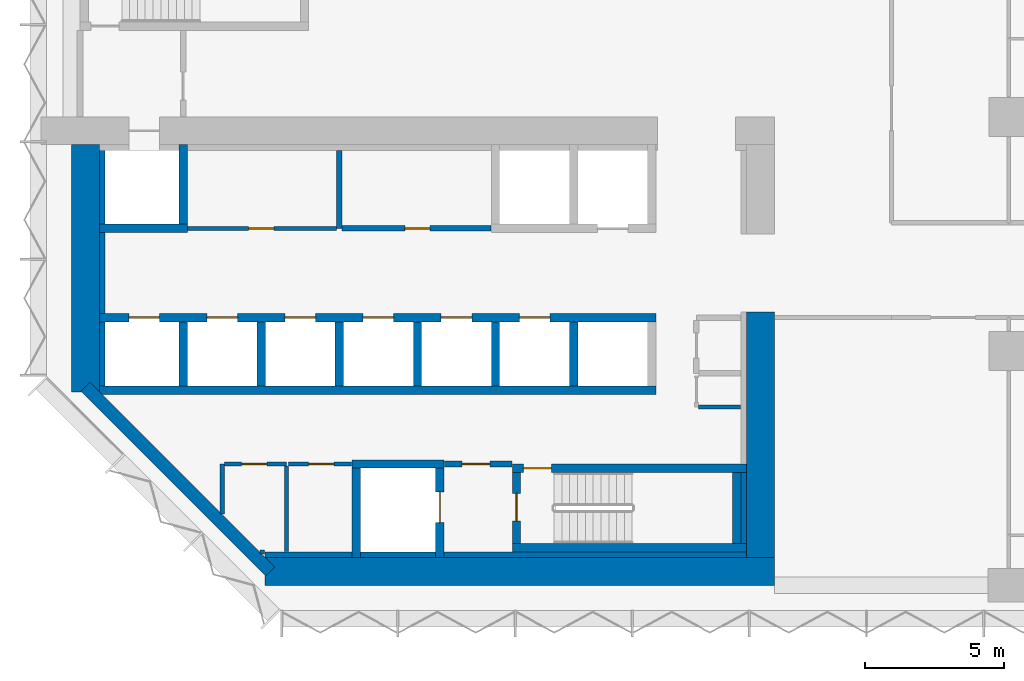
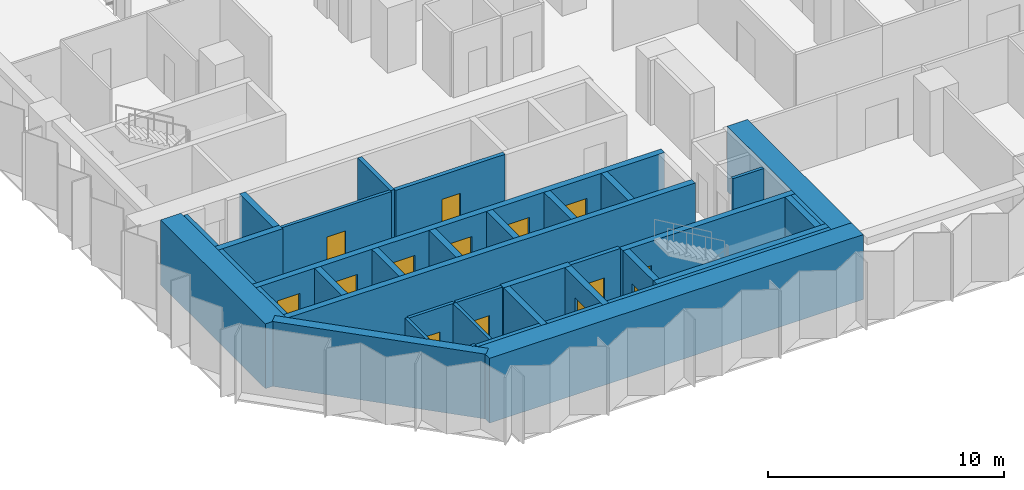
# One storey, part 9 of 18: 38 walls, 14 doors, 14 openings.
"""IFC4 building model written with IfcOpenShell, lengths in metres."""

from ifc_helpers import new_model, si_unit, direction, frame, frame_2d, origin, place, context, subcontext, project, spatial, rectangle, extrude, material, layer, layer_set, type_object, element, fill, save


model = new_model("IFC4")

# Units and contexts
model_context = context("Model", 3, precision=1e-05, world=origin(), true_north=direction((0.0, 1.0)))
body_context = subcontext(model_context, "Body", "Model", "MODEL_VIEW")
ifc_project = project(units=[si_unit("LENGTHUNIT", "METRE"), si_unit("AREAUNIT", "SQUARE_METRE"), si_unit("VOLUMEUNIT", "CUBIC_METRE"), si_unit("PLANEANGLEUNIT", "RADIAN"), si_unit("MASSUNIT", "GRAM", prefix="KILO")], contexts=[model_context])

# Site, building, storey
site_placement = place(None, origin())
site = spatial("IfcSite", under=ifc_project, at=site_placement, CompositionType="ELEMENT")
building_placement = place(site_placement, origin())
building = spatial("IfcBuilding", under=site, at=building_placement, Name="Brevane Broadcast Tower", CompositionType="ELEMENT")
storey_placement = place(building_placement, frame((0.0, 0.0, 40.10009765625)))
storey = spatial("IfcBuildingStorey", under=building, at=storey_placement, Name="L07", CompositionType="ELEMENT", Elevation=40.10009765625)

# Walls
ifc_material_1 = material(Name="Concrete C32/40", Category="concrete")
ifc_layer_1 = layer(ifc_material_1, 0.199951171875)
ifc_layer_set_1 = layer_set([ifc_layer_1], Name="Core chase wall 200 mm")
wall_type_1 = type_object("IfcWallType", Name="Core chase wall 200 mm", PredefinedType="PARTITIONING", material=ifc_layer_set_1)
wall_1_placement = place(storey_placement, frame((1.10009765625, 7.14990234375, 0.0), z_axis=(0.0, 0.0, 1.0), x_axis=(0.0, 1.0, 0.0)))
element("IfcWall", 1, at=wall_1_placement, inside=storey, type_object=wall_type_1, Name="L07 chase wall LW-2-1", PredefinedType="PARTITIONING", context=body_context, shape_type="SweptSolid", body=[
    extrude(rectangle(XDim=2.300048828125, YDim=0.199951171875, at=frame_2d((1.14990234375, 0.0))), origin(), (0.0, 0.0, 1.0), 3.349853515625),
])
wall_2_placement = place(storey_placement, frame((1.10009765625, 9.75, 0.0), z_axis=(0.0, 0.0, 1.0), x_axis=(0.0, 1.0, 0.0)))
element("IfcWall", 2, at=wall_2_placement, inside=storey, type_object=wall_type_1, Name="L07 chase wall LW-2-2-1", PredefinedType="PARTITIONING", context=body_context, shape_type="SweptSolid", body=[
    extrude(rectangle(XDim=2.89990234375, YDim=0.199951171875, at=frame_2d((1.449951171875, 0.0))), origin(), (0.0, 0.0, 1.0), 3.349853515625),
])
wall_3_placement = place(storey_placement, frame((1.10009765625, 12.949951171875, 0.0), z_axis=(0.0, 0.0, 1.0), x_axis=(0.0, 1.0, 0.0)))
element("IfcWall", 3, at=wall_3_placement, inside=storey, type_object=wall_type_1, Name="L07 chase wall LW-2-2-2", PredefinedType="PARTITIONING", context=body_context, shape_type="SweptSolid", body=[
    extrude(rectangle(XDim=2.650146484375, YDim=0.199951171875, at=frame_2d((1.3251953125, 0.0))), origin(), (0.0, 0.0, 1.0), 3.349853515625),
])
wall_4_placement = place(storey_placement, frame((6.936279296875, 1.10009765625, 0.0), z_axis=(0.0, 0.0, 1.0), x_axis=(1.0, 0.0, 0.0)))
element("IfcWall", 4, at=wall_4_placement, inside=storey, type_object=wall_type_1, Name="L07 chase wall LS-1", PredefinedType="PARTITIONING", context=body_context, shape_type="SweptSolid", body=[
    extrude(rectangle(XDim=3.11376953125, YDim=0.199951171875, at=frame_2d((1.556884765625, 0.0))), origin(), (0.0, 0.0, 1.0), 3.349853515625),
])
wall_5_placement = place(storey_placement, frame((10.35009765625, 1.10009765625, 0.0), z_axis=(0.0, 0.0, 1.0), x_axis=(1.0, 0.0, 0.0)))
element("IfcWall", 5, at=wall_5_placement, inside=storey, type_object=wall_type_1, Name="L07 chase wall LS-2-1", PredefinedType="PARTITIONING", context=body_context, shape_type="SweptSolid", body=[
    extrude(rectangle(XDim=2.699951171875, YDim=0.199951171875, at=frame_2d((1.35009765625, 0.0))), origin(), (0.0, 0.0, 1.0), 3.349853515625),
])
wall_6_placement = place(storey_placement, frame((13.35009765625, 1.10009765625, 0.0), z_axis=(0.0, 0.0, 1.0), x_axis=(1.0, 0.0, 0.0)))
element("IfcWall", 6, at=wall_6_placement, inside=storey, type_object=wall_type_1, Name="L07 chase wall LS-2-2", PredefinedType="PARTITIONING", context=body_context, shape_type="SweptSolid", body=[
    extrude(rectangle(XDim=10.849853515625, YDim=0.199951171875, at=frame_2d((5.4248046875, 0.0))), origin(), (0.0, 0.0, 1.0), 3.349853515625),
])
wall_7_placement = place(storey_placement, frame((24.10009765625, 1.5, 0.0), z_axis=(0.0, 0.0, 1.0), x_axis=(0.0, 1.0, 0.0)))
element("IfcWall", 7, at=wall_7_placement, inside=storey, type_object=wall_type_1, Name="L07 chase wall LE1-2-1", PredefinedType="PARTITIONING", context=body_context, shape_type="SweptSolid", body=[
    extrude(rectangle(XDim=2.550048828125, YDim=0.199951171875, at=frame_2d((1.27490234375, 0.0))), origin(), (0.0, 0.0, 1.0), 3.349853515625),
])

# Wall, opening, door
ifc_material_2 = material(Name="Gypsum board on steel studs", Category="steel")
ifc_layer_2 = layer(ifc_material_2, 0.14990234375)
ifc_layer_set_2 = layer_set([ifc_layer_2], Name="Core fire partition 150 mm")
wall_type_2 = type_object("IfcWallType", Name="Core fire partition 150 mm", PredefinedType="PARTITIONING", material=ifc_layer_set_2)
wall_8_placement = place(storey_placement, frame((4.162109375, 12.800048828125, 0.0), z_axis=(0.0, 0.0, 1.0), x_axis=(1.0, 0.0, 0.0)))
wall_8 = element("IfcWall", 8, at=wall_8_placement, inside=storey, type_object=wall_type_2, Name="L07 partition wall P09", PredefinedType="PARTITIONING", context=body_context, shape_type="SweptSolid", body=[
    extrude(rectangle(XDim=5.337890625, YDim=0.14990234375, at=frame_2d((2.6689453125, 0.0))), origin(), (0.0, 0.0, 1.0), 3.349853515625),
])
opening_1_placement = place(wall_8_placement, frame((2.18798828125, 0.0, 0.0)))
opening_1 = element("IfcOpeningElement", 9, at=opening_1_placement, cuts=wall_8, Name="Opening L07-K21", PredefinedType="OPENING", context=body_context, shape_type="SweptSolid", body=[
    extrude(rectangle(XDim=0.89990234375, YDim=2.10009765625, at=frame_2d((0.449951171875, 1.050048828125))), frame((0.0, 0.0849609375, 0.0), z_axis=(0.0, -1.0, 0.0), x_axis=(1.0, 0.0, 0.0)), (0.0, 0.0, 1.0), 0.169921875),
])
ifc_material_3 = material(Name="Steel", Category="steel")
door_type_1 = type_object("IfcDoorType", Name="Service room door 900 x 2100", OperationType="SINGLE_SWING_LEFT", PredefinedType="DOOR", material=ifc_material_3)
door_1_placement = place(opening_1_placement, origin())
door_1 = element("IfcDoor", 10, at=door_1_placement, inside=storey, type_object=door_type_1, Name="Door L07-K21", OperationType="SINGLE_SWING_LEFT", OverallHeight=2.10009765625, OverallWidth=0.89990234375, PredefinedType="DOOR", context=body_context, shape_type="SweptSolid", body=[
    extrude(rectangle(XDim=0.89990234375, YDim=2.10009765625, at=frame_2d((0.449951171875, 1.050048828125))), frame((0.0, 0.02490234375, 0.0), z_axis=(0.0, -1.0, 0.0), x_axis=(1.0, 0.0, 0.0)), (0.0, 0.0, 1.0), 0.050048828125),
])
fill(opening_1, door_1)

# Wall
wall_9_placement = place(storey_placement, frame((5.39990234375, 2.553466796875, 0.0), z_axis=(0.0, 0.0, 1.0), x_axis=(0.0, 1.0, 0.0)))
element("IfcWall", 11, at=wall_9_placement, inside=storey, type_object=wall_type_2, Name="L07 partition wall P10", PredefinedType="PARTITIONING", context=body_context, shape_type="SweptSolid", body=[
    extrude(rectangle(XDim=1.796630859375, YDim=0.14990234375, at=frame_2d((0.8984375, 0.0))), origin(), (0.0, 0.0, 1.0), 3.349853515625),
])

# Wall, opening, door
wall_10_placement = place(storey_placement, frame((5.47509765625, 4.35009765625, 0.0), z_axis=(0.0, 0.0, 1.0), x_axis=(1.0, 0.0, 0.0)))
wall_10 = element("IfcWall", 12, at=wall_10_placement, inside=storey, type_object=wall_type_2, Name="L07 partition wall P11", PredefinedType="PARTITIONING", context=body_context, shape_type="SweptSolid", body=[
    extrude(rectangle(XDim=2.224853515625, YDim=0.14990234375, at=frame_2d((1.1123046875, 0.0))), origin(), (0.0, 0.0, 1.0), 3.349853515625),
])
opening_2_placement = place(wall_10_placement, frame((0.625, 0.0, 0.0)))
opening_2 = element("IfcOpeningElement", 13, at=opening_2_placement, cuts=wall_10, Name="Opening L07-K16", PredefinedType="OPENING", context=body_context, shape_type="SweptSolid", body=[
    extrude(rectangle(XDim=0.89990234375, YDim=2.10009765625, at=frame_2d((0.449951171875, 1.050048828125))), frame((0.0, 0.0849609375, 0.0), z_axis=(0.0, -1.0, 0.0), x_axis=(1.0, 0.0, 0.0)), (0.0, 0.0, 1.0), 0.169921875),
])
ifc_material_4 = material(Name="Timber", Category="wood")
door_type_2 = type_object("IfcDoorType", Name="Toilet door 900 x 2100", OperationType="SINGLE_SWING_LEFT", PredefinedType="DOOR", material=ifc_material_4)
door_2_placement = place(opening_2_placement, origin())
door_2 = element("IfcDoor", 14, at=door_2_placement, inside=storey, type_object=door_type_2, Name="Door L07-K16", OperationType="SINGLE_SWING_RIGHT", OverallHeight=2.10009765625, OverallWidth=0.89990234375, PredefinedType="DOOR", context=body_context, shape_type="SweptSolid", body=[
    extrude(rectangle(XDim=0.89990234375, YDim=2.10009765625, at=frame_2d((0.449951171875, 1.050048828125))), frame((0.0, 0.02490234375, 0.0), z_axis=(0.0, -1.0, 0.0), x_axis=(1.0, 0.0, 0.0)), (0.0, 0.0, 1.0), 0.050048828125),
])
fill(opening_2, door_2)

# Walls
wall_11_placement = place(storey_placement, frame((7.699951171875, 4.27490234375, 0.0), z_axis=(0.0, 0.0, 1.0), x_axis=(0.0, -1.0, 0.0)))
element("IfcWall", 15, at=wall_11_placement, inside=storey, type_object=wall_type_2, Name="L07 partition wall P12", PredefinedType="PARTITIONING", context=body_context, shape_type="SweptSolid", body=[
    extrude(rectangle(XDim=3.06298828125, YDim=0.14990234375, at=frame_2d((1.531494140625, 0.0))), origin(), (0.0, 0.0, 1.0), 3.349853515625),
])
wall_12_placement = place(storey_placement, frame((6.92431640625, 1.199951171875, 0.0), z_axis=(0.0, 0.0, 1.0), x_axis=(-1.0, 0.0, 0.0)))
element("IfcWall", 16, at=wall_12_placement, inside=storey, type_object=wall_type_2, Name="L07 partition wall P13", PredefinedType="PARTITIONING", context=body_context, shape_type="SweptSolid", body=[
    extrude(rectangle(XDim=0.1708984375, YDim=0.14990234375, at=frame_2d((0.08544921875, 0.0))), origin(), (0.0, 0.0, 1.0), 3.349853515625),
])

# Wall, opening, door
wall_13_placement = place(storey_placement, frame((10.0380859375, 4.35009765625, 0.0), z_axis=(0.0, 0.0, 1.0), x_axis=(-1.0, 0.0, 0.0)))
wall_13 = element("IfcWall", 17, at=wall_13_placement, inside=storey, type_object=wall_type_2, Name="L07 partition wall P14", PredefinedType="PARTITIONING", context=body_context, shape_type="SweptSolid", body=[
    extrude(rectangle(XDim=2.26318359375, YDim=0.14990234375, at=frame_2d((1.131591796875, 0.0))), origin(), (0.0, 0.0, 1.0), 3.349853515625),
])
opening_3_placement = place(wall_13_placement, frame((0.637939453125, 0.0, 0.0)))
opening_3 = element("IfcOpeningElement", 18, at=opening_3_placement, cuts=wall_13, Name="Opening L07-K17", PredefinedType="OPENING", context=body_context, shape_type="SweptSolid", body=[
    extrude(rectangle(XDim=0.89990234375, YDim=2.10009765625, at=frame_2d((0.449951171875, 1.050048828125))), frame((0.0, 0.0849609375, 0.0), z_axis=(0.0, -1.0, 0.0), x_axis=(1.0, 0.0, 0.0)), (0.0, 0.0, 1.0), 0.169921875),
])
door_3_placement = place(opening_3_placement, origin())
door_3 = element("IfcDoor", 19, at=door_3_placement, inside=storey, type_object=door_type_2, Name="Door L07-K17", OperationType="SINGLE_SWING_LEFT", OverallHeight=2.10009765625, OverallWidth=0.89990234375, PredefinedType="DOOR", context=body_context, shape_type="SweptSolid", body=[
    extrude(rectangle(XDim=0.89990234375, YDim=2.10009765625, at=frame_2d((0.449951171875, 1.050048828125))), frame((0.0, 0.02490234375, 0.0), z_axis=(0.0, -1.0, 0.0), x_axis=(1.0, 0.0, 0.0)), (0.0, 0.0, 1.0), 0.050048828125),
])
fill(opening_3, door_3)

# Wall
wall_14_placement = place(storey_placement, frame((22.47509765625, 6.39990234375, 0.0), z_axis=(0.0, 0.0, 1.0), x_axis=(1.0, 0.0, 0.0)))
element("IfcWall", 20, at=wall_14_placement, inside=storey, type_object=wall_type_2, Name="L07 partition wall P23", PredefinedType="PARTITIONING", context=body_context, shape_type="SweptSolid", body=[
    extrude(rectangle(XDim=1.512939453125, YDim=0.14990234375, at=frame_2d((0.75634765625, 0.0))), origin(), (0.0, 0.0, 1.0), 3.349853515625),
])

# Wall, opening, door
ifc_layer_3 = layer(ifc_material_2, 0.199951171875)
ifc_layer_set_3 = layer_set([ifc_layer_3], Name="Core fire partition 200 mm")
wall_type_3 = type_object("IfcWallType", Name="Core fire partition 200 mm", PredefinedType="PARTITIONING", material=ifc_layer_set_3)
wall_15_placement = place(storey_placement, frame((13.362060546875, 4.35009765625, 0.0), z_axis=(0.0, 0.0, 1.0), x_axis=(1.0, 0.0, 0.0)))
wall_15 = element("IfcWall", 21, at=wall_15_placement, inside=storey, type_object=wall_type_3, Name="L07 partition wall P03", PredefinedType="PARTITIONING", context=body_context, shape_type="SweptSolid", body=[
    extrude(rectangle(XDim=2.426025390625, YDim=0.199951171875, at=frame_2d((1.212890625, 0.0))), origin(), (0.0, 0.0, 1.0), 3.349853515625),
])
opening_4_placement = place(wall_15_placement, frame((0.637939453125, 0.0, 0.0)))
opening_4 = element("IfcOpeningElement", 22, at=opening_4_placement, cuts=wall_15, Name="Opening L07-K18", PredefinedType="OPENING", context=body_context, shape_type="SweptSolid", body=[
    extrude(rectangle(XDim=1.0, YDim=2.10009765625, at=frame_2d((0.5, 1.050048828125))), frame((0.0, 0.10986328125, 0.0), z_axis=(0.0, -1.0, 0.0), x_axis=(1.0, 0.0, 0.0)), (0.0, 0.0, 1.0), 0.219970703125),
])
door_type_3 = type_object("IfcDoorType", Name="Stair door 1000 x 2100", OperationType="SINGLE_SWING_LEFT", PredefinedType="DOOR", material=ifc_material_3)
door_4_placement = place(opening_4_placement, origin())
door_4 = element("IfcDoor", 23, at=door_4_placement, inside=storey, type_object=door_type_3, Name="Door L07-K18", OperationType="SINGLE_SWING_RIGHT", OverallHeight=2.10009765625, OverallWidth=1.0, PredefinedType="DOOR", context=body_context, shape_type="SweptSolid", body=[
    extrude(rectangle(XDim=1.0, YDim=2.10009765625, at=frame_2d((0.5, 1.050048828125))), frame((0.0, 0.02490234375, 0.0), z_axis=(0.0, -1.0, 0.0), x_axis=(1.0, 0.0, 0.0)), (0.0, 0.0, 1.0), 0.050048828125),
])
fill(opening_4, door_4)

# Wall
wall_16_placement = place(storey_placement, frame((9.60009765625, 15.587890625, 0.0), z_axis=(0.0, 0.0, 1.0), x_axis=(0.0, -1.0, 0.0)))
element("IfcWall", 24, at=wall_16_placement, inside=storey, type_object=wall_type_3, Name="L07 partition wall P04", PredefinedType="PARTITIONING", context=body_context, shape_type="SweptSolid", body=[
    extrude(rectangle(XDim=2.787841796875, YDim=0.199951171875, at=frame_2d((1.39404296875, 0.0))), origin(), (0.0, 0.0, 1.0), 3.349853515625),
])

# Wall, opening, door
wall_17_placement = place(storey_placement, frame((9.699951171875, 12.800048828125, 0.0), z_axis=(0.0, 0.0, 1.0), x_axis=(1.0, 0.0, 0.0)))
wall_17 = element("IfcWall", 25, at=wall_17_placement, inside=storey, type_object=wall_type_3, Name="L07 partition wall P05", PredefinedType="PARTITIONING", context=body_context, shape_type="SweptSolid", body=[
    extrude(rectangle(XDim=5.338134765625, YDim=0.199951171875, at=frame_2d((2.6689453125, 0.0))), origin(), (0.0, 0.0, 1.0), 3.349853515625),
])
opening_5_placement = place(wall_17_placement, frame((2.25, 0.0, 0.0)))
opening_5 = element("IfcOpeningElement", 26, at=opening_5_placement, cuts=wall_17, Name="Opening L07-K22", PredefinedType="OPENING", context=body_context, shape_type="SweptSolid", body=[
    extrude(rectangle(XDim=0.89990234375, YDim=2.10009765625, at=frame_2d((0.449951171875, 1.050048828125))), frame((0.0, 0.10986328125, 0.0), z_axis=(0.0, -1.0, 0.0), x_axis=(1.0, 0.0, 0.0)), (0.0, 0.0, 1.0), 0.219970703125),
])
door_5_placement = place(opening_5_placement, origin())
door_5 = element("IfcDoor", 27, at=door_5_placement, inside=storey, type_object=door_type_1, Name="Door L07-K22", OperationType="SINGLE_SWING_RIGHT", OverallHeight=2.10009765625, OverallWidth=0.89990234375, PredefinedType="DOOR", context=body_context, shape_type="SweptSolid", body=[
    extrude(rectangle(XDim=0.89990234375, YDim=2.10009765625, at=frame_2d((0.449951171875, 1.050048828125))), frame((0.0, 0.02490234375, 0.0), z_axis=(0.0, -1.0, 0.0), x_axis=(1.0, 0.0, 0.0)), (0.0, 0.0, 1.0), 0.050048828125),
])
fill(opening_5, door_5)

# Walls
ifc_material_5 = material(Name="Concrete C80/95", Category="concrete")
ifc_layer_4 = layer(ifc_material_5, 1.0)
ifc_layer_set_4 = layer_set([ifc_layer_4], Name="Core wall 1000 mm C80/95")
wall_type_4 = type_object("IfcWallType", Name="Core wall 1000 mm C80/95", PredefinedType="SHEAR", material=ifc_layer_set_4)
wall_18_placement = place(storey_placement, frame((6.936279296875, 0.5, 0.0), z_axis=(0.0, 0.0, 1.0), x_axis=(1.0, 0.0, 0.0)))
element("IfcWall", 28, at=wall_18_placement, inside=storey, type_object=wall_type_4, Name="L07 outer wall WS", PredefinedType="SHEAR", context=body_context, shape_type="SweptSolid", body=[
    extrude(rectangle(XDim=18.263671875, YDim=1.0, at=frame_2d((9.1318359375, 0.0))), origin(), (0.0, 0.0, 1.0), 3.349853515625),
])
wall_19_placement = place(storey_placement, frame((0.5, 6.936279296875, 0.0), z_axis=(0.0, 0.0, 1.0), x_axis=(0.0, 1.0, 0.0)))
element("IfcWall", 29, at=wall_19_placement, inside=storey, type_object=wall_type_4, Name="L07 outer wall WW", PredefinedType="SHEAR", context=body_context, shape_type="SweptSolid", body=[
    extrude(rectangle(XDim=8.86376953125, YDim=1.0, at=frame_2d((4.431884765625, 0.0))), origin(), (0.0, 0.0, 1.0), 3.349853515625),
])
wall_20_placement = place(storey_placement, frame((24.699951171875, 1.0, 0.0), z_axis=(0.0, 0.0, 1.0), x_axis=(0.0, 1.0, 0.0)))
element("IfcWall", 30, at=wall_20_placement, inside=storey, type_object=wall_type_4, Name="L07 outer wall WE1", PredefinedType="SHEAR", context=body_context, shape_type="SweptSolid", body=[
    extrude(rectangle(XDim=8.800048828125, YDim=1.0, at=frame_2d((4.39990234375, 0.0))), origin(), (0.0, 0.0, 1.0), 3.349853515625),
])
ifc_layer_5 = layer(ifc_material_5, 0.300048828125)
ifc_layer_set_5 = layer_set([ifc_layer_5], Name="Core wall 300 mm C80/95")
wall_type_5 = type_object("IfcWallType", Name="Core wall 300 mm C80/95", PredefinedType="SHEAR", material=ifc_layer_set_5)
wall_21_placement = place(storey_placement, frame((1.0, 7.0, 0.0), z_axis=(0.0, 0.0, 1.0), x_axis=(1.0, 0.0, 0.0)))
element("IfcWall", 31, at=wall_21_placement, inside=storey, type_object=wall_type_5, Name="L07 shaft wall SH-S012-back", PredefinedType="SHEAR", context=body_context, shape_type="SweptSolid", body=[
    extrude(rectangle(XDim=19.949951171875, YDim=0.300048828125, at=frame_2d((9.97509765625, 0.0))), origin(), (0.0, 0.0, 1.0), 3.349853515625),
])

# Wall, openings, doors
wall_22_placement = place(storey_placement, frame((1.0, 9.60009765625, 0.0), z_axis=(0.0, 0.0, 1.0), x_axis=(1.0, 0.0, 0.0)))
wall_22 = element("IfcWall", 32, at=wall_22_placement, inside=storey, type_object=wall_type_5, Name="L07 shaft wall SH-S012-front", PredefinedType="SHEAR", context=body_context, shape_type="SweptSolid", body=[
    extrude(rectangle(XDim=19.949951171875, YDim=0.300048828125, at=frame_2d((9.97509765625, 0.0))), origin(), (0.0, 0.0, 1.0), 3.349853515625),
])
opening_6_placement = place(wall_22_placement, frame((1.050048828125, 0.0, 0.0)))
opening_6 = element("IfcOpeningElement", 33, at=opening_6_placement, cuts=wall_22, Name="Opening LD", PredefinedType="OPENING", context=body_context, shape_type="SweptSolid", body=[
    extrude(rectangle(XDim=1.10009765625, YDim=2.300048828125, at=frame_2d((0.550048828125, 1.14990234375))), frame((0.0, 0.159912109375, 0.0), z_axis=(0.0, -1.0, 0.0), x_axis=(1.0, 0.0, 0.0)), (0.0, 0.0, 1.0), 0.320068359375),
])
opening_7_placement = place(wall_22_placement, frame((3.85009765625, 0.0, 0.0)))
opening_7 = element("IfcOpeningElement", 34, at=opening_7_placement, cuts=wall_22, Name="Opening LD", PredefinedType="OPENING", context=body_context, shape_type="SweptSolid", body=[
    extrude(rectangle(XDim=1.10009765625, YDim=2.300048828125, at=frame_2d((0.550048828125, 1.14990234375))), frame((0.0, 0.159912109375, 0.0), z_axis=(0.0, -1.0, 0.0), x_axis=(1.0, 0.0, 0.0)), (0.0, 0.0, 1.0), 0.320068359375),
])
opening_8_placement = place(wall_22_placement, frame((6.64990234375, 0.0, 0.0)))
opening_8 = element("IfcOpeningElement", 35, at=opening_8_placement, cuts=wall_22, Name="Opening LD", PredefinedType="OPENING", context=body_context, shape_type="SweptSolid", body=[
    extrude(rectangle(XDim=1.10009765625, YDim=2.300048828125, at=frame_2d((0.550048828125, 1.14990234375))), frame((0.0, 0.159912109375, 0.0), z_axis=(0.0, -1.0, 0.0), x_axis=(1.0, 0.0, 0.0)), (0.0, 0.0, 1.0), 0.320068359375),
])
opening_9_placement = place(wall_22_placement, frame((9.449951171875, 0.0, 0.0)))
opening_9 = element("IfcOpeningElement", 36, at=opening_9_placement, cuts=wall_22, Name="Opening LD", PredefinedType="OPENING", context=body_context, shape_type="SweptSolid", body=[
    extrude(rectangle(XDim=1.10009765625, YDim=2.300048828125, at=frame_2d((0.550048828125, 1.14990234375))), frame((0.0, 0.159912109375, 0.0), z_axis=(0.0, -1.0, 0.0), x_axis=(1.0, 0.0, 0.0)), (0.0, 0.0, 1.0), 0.320068359375),
])
opening_10_placement = place(wall_22_placement, frame((12.25, 0.0, 0.0)))
opening_10 = element("IfcOpeningElement", 37, at=opening_10_placement, cuts=wall_22, Name="Opening LD", PredefinedType="OPENING", context=body_context, shape_type="SweptSolid", body=[
    extrude(rectangle(XDim=1.10009765625, YDim=2.300048828125, at=frame_2d((0.550048828125, 1.14990234375))), frame((0.0, 0.159912109375, 0.0), z_axis=(0.0, -1.0, 0.0), x_axis=(1.0, 0.0, 0.0)), (0.0, 0.0, 1.0), 0.320068359375),
])
opening_11_placement = place(wall_22_placement, frame((15.050048828125, 0.0, 0.0)))
opening_11 = element("IfcOpeningElement", 38, at=opening_11_placement, cuts=wall_22, Name="Opening LD", PredefinedType="OPENING", context=body_context, shape_type="SweptSolid", body=[
    extrude(rectangle(XDim=1.10009765625, YDim=2.300048828125, at=frame_2d((0.550048828125, 1.14990234375))), frame((0.0, 0.159912109375, 0.0), z_axis=(0.0, -1.0, 0.0), x_axis=(1.0, 0.0, 0.0)), (0.0, 0.0, 1.0), 0.320068359375),
])
ifc_material_6 = material(Name="Stainless steel", Category="steel")
door_type_4 = type_object("IfcDoorType", Name="Lift landing door", OperationType="SLIDING_TO_LEFT", PredefinedType="DOOR", material=ifc_material_6)
door_6_placement = place(opening_6_placement, origin())
door_6 = element("IfcDoor", 39, at=door_6_placement, inside=storey, type_object=door_type_4, Name="Landing door LR1 L07", OperationType="SLIDING_TO_LEFT", OverallHeight=2.300048828125, OverallWidth=1.10009765625, PredefinedType="DOOR", context=body_context, shape_type="SweptSolid", body=[
    extrude(rectangle(XDim=1.10009765625, YDim=2.300048828125, at=frame_2d((0.550048828125, 1.14990234375))), frame((0.0, 0.02490234375, 0.0), z_axis=(0.0, -1.0, 0.0), x_axis=(1.0, 0.0, 0.0)), (0.0, 0.0, 1.0), 0.050048828125),
])
fill(opening_6, door_6)
door_7_placement = place(opening_7_placement, origin())
door_7 = element("IfcDoor", 40, at=door_7_placement, inside=storey, type_object=door_type_4, Name="Landing door LR2 L07", OperationType="SLIDING_TO_LEFT", OverallHeight=2.300048828125, OverallWidth=1.10009765625, PredefinedType="DOOR", context=body_context, shape_type="SweptSolid", body=[
    extrude(rectangle(XDim=1.10009765625, YDim=2.300048828125, at=frame_2d((0.550048828125, 1.14990234375))), frame((0.0, 0.02490234375, 0.0), z_axis=(0.0, -1.0, 0.0), x_axis=(1.0, 0.0, 0.0)), (0.0, 0.0, 1.0), 0.050048828125),
])
fill(opening_7, door_7)
door_8_placement = place(opening_8_placement, origin())
door_8 = element("IfcDoor", 41, at=door_8_placement, inside=storey, type_object=door_type_4, Name="Landing door LR3 L07", OperationType="SLIDING_TO_LEFT", OverallHeight=2.300048828125, OverallWidth=1.10009765625, PredefinedType="DOOR", context=body_context, shape_type="SweptSolid", body=[
    extrude(rectangle(XDim=1.10009765625, YDim=2.300048828125, at=frame_2d((0.550048828125, 1.14990234375))), frame((0.0, 0.02490234375, 0.0), z_axis=(0.0, -1.0, 0.0), x_axis=(1.0, 0.0, 0.0)), (0.0, 0.0, 1.0), 0.050048828125),
])
fill(opening_8, door_8)
door_9_placement = place(opening_9_placement, origin())
door_9 = element("IfcDoor", 42, at=door_9_placement, inside=storey, type_object=door_type_4, Name="Landing door LR4 L07", OperationType="SLIDING_TO_LEFT", OverallHeight=2.300048828125, OverallWidth=1.10009765625, PredefinedType="DOOR", context=body_context, shape_type="SweptSolid", body=[
    extrude(rectangle(XDim=1.10009765625, YDim=2.300048828125, at=frame_2d((0.550048828125, 1.14990234375))), frame((0.0, 0.02490234375, 0.0), z_axis=(0.0, -1.0, 0.0), x_axis=(1.0, 0.0, 0.0)), (0.0, 0.0, 1.0), 0.050048828125),
])
fill(opening_9, door_9)
door_10_placement = place(opening_10_placement, origin())
door_10 = element("IfcDoor", 43, at=door_10_placement, inside=storey, type_object=door_type_4, Name="Landing door LR5 L07", OperationType="SLIDING_TO_LEFT", OverallHeight=2.300048828125, OverallWidth=1.10009765625, PredefinedType="DOOR", context=body_context, shape_type="SweptSolid", body=[
    extrude(rectangle(XDim=1.10009765625, YDim=2.300048828125, at=frame_2d((0.550048828125, 1.14990234375))), frame((0.0, 0.02490234375, 0.0), z_axis=(0.0, -1.0, 0.0), x_axis=(1.0, 0.0, 0.0)), (0.0, 0.0, 1.0), 0.050048828125),
])
fill(opening_10, door_10)
door_11_placement = place(opening_11_placement, origin())
door_11 = element("IfcDoor", 44, at=door_11_placement, inside=storey, type_object=door_type_4, Name="Landing door LR6 L07", OperationType="SLIDING_TO_LEFT", OverallHeight=2.300048828125, OverallWidth=1.10009765625, PredefinedType="DOOR", context=body_context, shape_type="SweptSolid", body=[
    extrude(rectangle(XDim=1.10009765625, YDim=2.300048828125, at=frame_2d((0.550048828125, 1.14990234375))), frame((0.0, 0.02490234375, 0.0), z_axis=(0.0, -1.0, 0.0), x_axis=(1.0, 0.0, 0.0)), (0.0, 0.0, 1.0), 0.050048828125),
])
fill(opening_11, door_11)

# Walls
for number, where, z_axis, x_axis, name in (
    (45, (4.0, 7.14990234375, 0.0), (0.0, 0.0, 1.0), (0.0, 1.0, 0.0), "L07 shaft wall SH-S-P040"),
    (46, (6.800048828125, 7.14990234375, 0.0), (0.0, 0.0, 1.0), (0.0, 1.0, 0.0), "L07 shaft wall SH-S-P068"),
    (47, (9.60009765625, 7.14990234375, 0.0), (0.0, 0.0, 1.0), (0.0, 1.0, 0.0), "L07 shaft wall SH-S-P096"),
    (48, (12.39990234375, 7.14990234375, 0.0), (0.0, 0.0, 1.0), (0.0, 1.0, 0.0), "L07 shaft wall SH-S-P124"),
    (49, (15.199951171875, 7.14990234375, 0.0), (0.0, 0.0, 1.0), (0.0, 1.0, 0.0), "L07 shaft wall SH-S-P152"),
    (50, (18.0, 7.14990234375, 0.0), (0.0, 0.0, 1.0), (0.0, 1.0, 0.0), "L07 shaft wall SH-S-P180"),
):
    element("IfcWall", number, at=place(storey_placement, frame(where, z_axis=z_axis, x_axis=x_axis)), inside=storey, type_object=wall_type_5, Name=name, PredefinedType="SHEAR", context=body_context, shape_type="SweptSolid", body=[
        extrude(rectangle(XDim=2.300048828125, YDim=0.300048828125, at=frame_2d((1.14990234375, 0.0))), origin(), (0.0, 0.0, 1.0), 3.349853515625),
    ])
wall_23_placement = place(storey_placement, frame((1.0, 12.800048828125, 0.0), z_axis=(0.0, 0.0, 1.0), x_axis=(1.0, 0.0, 0.0)))
element("IfcWall", 51, at=wall_23_placement, inside=storey, type_object=wall_type_5, Name="L07 shaft wall SH-N012-front", PredefinedType="SHEAR", context=body_context, shape_type="SweptSolid", body=[
    extrude(rectangle(XDim=3.14990234375, YDim=0.300048828125, at=frame_2d((1.574951171875, 0.0))), origin(), (0.0, 0.0, 1.0), 3.349853515625),
])
wall_24_placement = place(storey_placement, frame((4.0, 12.949951171875, 0.0), z_axis=(0.0, 0.0, 1.0), x_axis=(0.0, 1.0, 0.0)))
element("IfcWall", 52, at=wall_24_placement, inside=storey, type_object=wall_type_5, Name="L07 shaft wall SH-N-P040", PredefinedType="SHEAR", context=body_context, shape_type="SweptSolid", body=[
    extrude(rectangle(XDim=2.85009765625, YDim=0.300048828125, at=frame_2d((1.425048828125, 0.0))), origin(), (0.0, 0.0, 1.0), 3.349853515625),
])
wall_25_placement = place(storey_placement, frame((10.199951171875, 1.0, 0.0), z_axis=(0.0, 0.0, 1.0), x_axis=(0.0, 1.0, 0.0)))
element("IfcWall", 53, at=wall_25_placement, inside=storey, type_object=wall_type_5, Name="L07 shaft wall FF2-W", PredefinedType="SHEAR", context=body_context, shape_type="SweptSolid", body=[
    extrude(rectangle(XDim=3.199951171875, YDim=0.300048828125, at=frame_2d((1.60009765625, 0.0))), origin(), (0.0, 0.0, 1.0), 3.349853515625),
])

# Wall, opening, door
wall_26_placement = place(storey_placement, frame((13.199951171875, 1.0, 0.0), z_axis=(0.0, 0.0, 1.0), x_axis=(0.0, 1.0, 0.0)))
wall_26 = element("IfcWall", 54, at=wall_26_placement, inside=storey, type_object=wall_type_5, Name="L07 shaft wall FF2-E", PredefinedType="SHEAR", context=body_context, shape_type="SweptSolid", body=[
    extrude(rectangle(XDim=3.199951171875, YDim=0.300048828125, at=frame_2d((1.60009765625, 0.0))), origin(), (0.0, 0.0, 1.0), 3.349853515625),
])
opening_12_placement = place(wall_26_placement, frame((1.25, 0.0, 0.0)))
opening_12 = element("IfcOpeningElement", 55, at=opening_12_placement, cuts=wall_26, Name="Opening LD", PredefinedType="OPENING", context=body_context, shape_type="SweptSolid", body=[
    extrude(rectangle(XDim=1.10009765625, YDim=2.300048828125, at=frame_2d((0.550048828125, 1.14990234375))), frame((0.0, 0.159912109375, 0.0), z_axis=(0.0, -1.0, 0.0), x_axis=(1.0, 0.0, 0.0)), (0.0, 0.0, 1.0), 0.320068359375),
])
door_12_placement = place(opening_12_placement, origin())
door_12 = element("IfcDoor", 56, at=door_12_placement, inside=storey, type_object=door_type_4, Name="Landing door FF2 L07", OperationType="SLIDING_TO_LEFT", OverallHeight=2.300048828125, OverallWidth=1.10009765625, PredefinedType="DOOR", context=body_context, shape_type="SweptSolid", body=[
    extrude(rectangle(XDim=1.10009765625, YDim=2.300048828125, at=frame_2d((0.550048828125, 1.14990234375))), frame((0.0, 0.02490234375, 0.0), z_axis=(0.0, -1.0, 0.0), x_axis=(1.0, 0.0, 0.0)), (0.0, 0.0, 1.0), 0.050048828125),
])
fill(opening_12, door_12)

# Walls
wall_27_placement = place(storey_placement, frame((10.050048828125, 4.35009765625, 0.0), z_axis=(0.0, 0.0, 1.0), x_axis=(1.0, 0.0, 0.0)))
element("IfcWall", 57, at=wall_27_placement, inside=storey, type_object=wall_type_5, Name="L07 shaft wall FF2-N", PredefinedType="SHEAR", context=body_context, shape_type="SweptSolid", body=[
    extrude(rectangle(XDim=3.300048828125, YDim=0.300048828125, at=frame_2d((1.64990234375, 0.0))), origin(), (0.0, 0.0, 1.0), 3.349853515625),
])
wall_28_placement = place(storey_placement, frame((15.800048828125, 1.35009765625, 0.0), z_axis=(0.0, 0.0, 1.0), x_axis=(1.0, 0.0, 0.0)))
element("IfcWall", 58, at=wall_28_placement, inside=storey, type_object=wall_type_5, Name="L07 stair wall ST-2-S", PredefinedType="SHEAR", context=body_context, shape_type="SweptSolid", body=[
    extrude(rectangle(XDim=8.39990234375, YDim=0.300048828125, at=frame_2d((4.199951171875, 0.0))), origin(), (0.0, 0.0, 1.0), 3.349853515625),
])

# Wall, opening, door
wall_29_placement = place(storey_placement, frame((15.800048828125, 4.199951171875, 0.0), z_axis=(0.0, 0.0, 1.0), x_axis=(1.0, 0.0, 0.0)))
wall_29 = element("IfcWall", 59, at=wall_29_placement, inside=storey, type_object=wall_type_5, Name="L07 stair wall ST-2-N", PredefinedType="SHEAR", context=body_context, shape_type="SweptSolid", body=[
    extrude(rectangle(XDim=8.39990234375, YDim=0.300048828125, at=frame_2d((4.199951171875, 0.0))), origin(), (0.0, 0.0, 1.0), 3.349853515625),
])
opening_13_placement = place(wall_29_placement, frame((0.39990234375, 0.0, 0.0)))
opening_13 = element("IfcOpeningElement", 60, at=opening_13_placement, cuts=wall_29, Name="Opening L07-K13", PredefinedType="OPENING", context=body_context, shape_type="SweptSolid", body=[
    extrude(rectangle(XDim=1.0, YDim=2.10009765625, at=frame_2d((0.5, 1.050048828125))), frame((0.0, 0.159912109375, 0.0), z_axis=(0.0, -1.0, 0.0), x_axis=(1.0, 0.0, 0.0)), (0.0, 0.0, 1.0), 0.320068359375),
])
door_13_placement = place(opening_13_placement, origin())
door_13 = element("IfcDoor", 61, at=door_13_placement, inside=storey, type_object=door_type_3, Name="Door L07-K13", OperationType="SINGLE_SWING_LEFT", OverallHeight=2.10009765625, OverallWidth=1.0, PredefinedType="DOOR", context=body_context, shape_type="SweptSolid", body=[
    extrude(rectangle(XDim=1.0, YDim=2.10009765625, at=frame_2d((0.5, 1.050048828125))), frame((0.0, 0.02490234375, 0.0), z_axis=(0.0, -1.0, 0.0), x_axis=(1.0, 0.0, 0.0)), (0.0, 0.0, 1.0), 0.050048828125),
])
fill(opening_13, door_13)

wall_30_placement = place(storey_placement, frame((15.949951171875, 1.5, 0.0), z_axis=(0.0, 0.0, 1.0), x_axis=(0.0, 1.0, 0.0)))
wall_30 = element("IfcWall", 62, at=wall_30_placement, inside=storey, type_object=wall_type_5, Name="L07 stair wall ST-2-W", PredefinedType="SHEAR", context=body_context, shape_type="SweptSolid", body=[
    extrude(rectangle(XDim=2.550048828125, YDim=0.300048828125, at=frame_2d((1.27490234375, 0.0))), origin(), (0.0, 0.0, 1.0), 3.349853515625),
])
opening_14_placement = place(wall_30_placement, frame((0.800048828125, 0.0, 0.0)))
opening_14 = element("IfcOpeningElement", 63, at=opening_14_placement, cuts=wall_30, Name="Opening L07-K12", PredefinedType="OPENING", context=body_context, shape_type="SweptSolid", body=[
    extrude(rectangle(XDim=1.0, YDim=2.10009765625, at=frame_2d((0.5, 1.050048828125))), frame((0.0, 0.159912109375, 0.0), z_axis=(0.0, -1.0, 0.0), x_axis=(1.0, 0.0, 0.0)), (0.0, 0.0, 1.0), 0.320068359375),
])
door_14_placement = place(opening_14_placement, origin())
door_14 = element("IfcDoor", 64, at=door_14_placement, inside=storey, type_object=door_type_3, Name="Door L07-K12", OperationType="SINGLE_SWING_RIGHT", OverallHeight=2.10009765625, OverallWidth=1.0, PredefinedType="DOOR", context=body_context, shape_type="SweptSolid", body=[
    extrude(rectangle(XDim=1.0, YDim=2.10009765625, at=frame_2d((0.5, 1.050048828125))), frame((0.0, 0.02490234375, 0.0), z_axis=(0.0, -1.0, 0.0), x_axis=(1.0, 0.0, 0.0)), (0.0, 0.0, 1.0), 0.050048828125),
])
fill(opening_14, door_14)

# Walls
wall_31_placement = place(storey_placement, frame((23.85009765625, 1.5, 0.0), z_axis=(0.0, 0.0, 1.0), x_axis=(0.0, 1.0, 0.0)))
element("IfcWall", 65, at=wall_31_placement, inside=storey, type_object=wall_type_5, Name="L07 stair wall ST-2-E", PredefinedType="SHEAR", context=body_context, shape_type="SweptSolid", body=[
    extrude(rectangle(XDim=2.550048828125, YDim=0.300048828125, at=frame_2d((1.27490234375, 0.0))), origin(), (0.0, 0.0, 1.0), 3.349853515625),
])
ifc_layer_6 = layer(ifc_material_5, 0.449951171875)
ifc_layer_set_6 = layer_set([ifc_layer_6], Name="Core wall 450 mm C80/95")
wall_type_6 = type_object("IfcWallType", Name="Core wall 450 mm C80/95", PredefinedType="SHEAR", material=ifc_layer_set_6)
wall_32_placement = place(storey_placement, frame((0.5, 7.1181640625, 0.0), z_axis=(0.0, 0.0, 1.0), x_axis=(0.707106781187, -0.707106781187, 0.0)))
element("IfcWall", 66, at=wall_32_placement, inside=storey, type_object=wall_type_6, Name="L07 outer wall WC", PredefinedType="SHEAR", context=body_context, shape_type="SweptSolid", body=[
    extrude(rectangle(XDim=9.359619140625, YDim=0.449951171875, at=frame_2d((4.6796875, 0.0))), origin(), (0.0, 0.0, 1.0), 3.349853515625),
])

save(model, "model.ifc")
